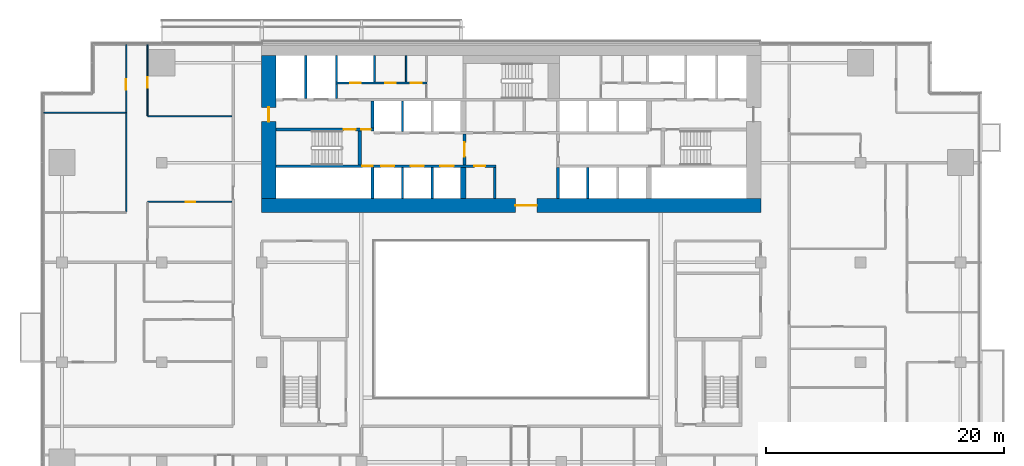
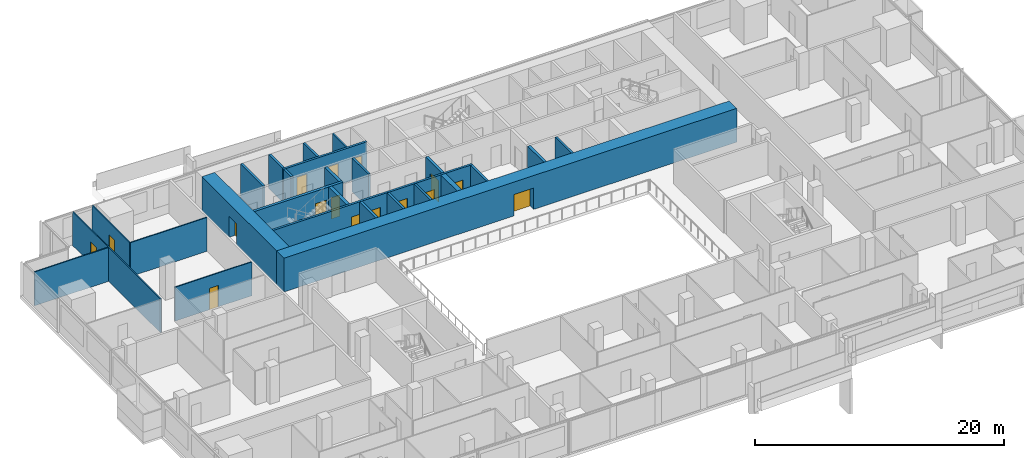
# One storey, part 20 of 27: 26 walls, 16 doors, 16 openings.
"""IFC4 building model written with IfcOpenShell, lengths in metres."""

from ifc_helpers import new_model, si_unit, direction, frame, frame_2d, origin, place, context, subcontext, project, spatial, rectangle, extrude, material, layer, layer_set, type_object, element, fill, save


model = new_model("IFC4")

# Units and contexts
model_context = context("Model", 3, precision=1e-05, world=origin(), true_north=direction((0.0, 1.0)))
body_context = subcontext(model_context, "Body", "Model", "MODEL_VIEW")
ifc_project = project(units=[si_unit("LENGTHUNIT", "METRE"), si_unit("AREAUNIT", "SQUARE_METRE"), si_unit("VOLUMEUNIT", "CUBIC_METRE"), si_unit("PLANEANGLEUNIT", "RADIAN"), si_unit("MASSUNIT", "GRAM", prefix="KILO")], contexts=[model_context])

# Site, building, storey
site_placement = place(None, origin())
site = spatial("IfcSite", under=ifc_project, at=site_placement, CompositionType="ELEMENT")
building_placement = place(site_placement, origin())
building = spatial("IfcBuilding", under=site, at=building_placement, Name="Saffron Gate Tower", CompositionType="ELEMENT")
storey_placement = place(building_placement, frame((0.0, 0.0, 66.0)))
storey = spatial("IfcBuildingStorey", under=building, at=storey_placement, Name="L15", CompositionType="ELEMENT", Elevation=66.0)

# Wall, opening, door
ifc_material_1 = material(Name="Concrete C70", Category="concrete")
ifc_layer_1 = layer(ifc_material_1, 1.199951171875)
ifc_layer_set_1 = layer_set([ifc_layer_1], Name="CW1 RC core wall 1200 C70")
wall_type_1 = type_object("IfcWallType", Name="CW1 RC core wall 1200 C70", PredefinedType="SOLIDWALL", material=ifc_layer_set_1)
wall_1_placement = place(storey_placement, frame((66.60009765625, 61.800048828125, 0.0), z_axis=(0.0, 0.0, 1.0), x_axis=(1.0, 0.0, 0.0)))
wall_1 = element("IfcWall", 1, at=wall_1_placement, inside=storey, type_object=wall_type_1, Name="Wall CW1-L15-1", PredefinedType="SOLIDWALL", context=body_context, shape_type="SweptSolid", body=[
    extrude(rectangle(XDim=42.0, YDim=1.199951171875, at=frame_2d((21.0, 0.0))), origin(), (0.0, 0.0, 1.0), 3.320068359375),
])
opening_1_placement = place(wall_1_placement, frame((21.35009765625, 0.0, 0.0)))
opening_1 = element("IfcOpeningElement", 2, at=opening_1_placement, cuts=wall_1, Name="Opening CR-09", PredefinedType="OPENING", context=body_context, shape_type="SweptSolid", body=[
    extrude(rectangle(XDim=1.800048828125, YDim=2.10009765625, at=frame_2d((0.89990234375, 1.050048828125))), frame((0.0, 0.60986328125, 0.0), z_axis=(0.0, -1.0, 0.0), x_axis=(1.0, 0.0, 0.0)), (0.0, 0.0, 1.0), 1.219970703125),
])
ifc_material_2 = material(Name="Steel fire door set", Category="steel")
door_type_1 = type_object("IfcDoorType", Name="CD1 Core entrance door 1800x2100 EI 120", OperationType="NOTDEFINED", PredefinedType="DOOR", material=ifc_material_2)
door_1_placement = place(opening_1_placement, origin())
door_1 = element("IfcDoor", 3, at=door_1_placement, inside=storey, type_object=door_type_1, Name="DOOR CR-09", OperationType="DOUBLE_DOOR_SINGLE_SWING", OverallHeight=2.10009765625, OverallWidth=1.800048828125, PredefinedType="DOOR", context=body_context, shape_type="SweptSolid", body=[
    extrude(rectangle(XDim=1.800048828125, YDim=2.10009765625, at=frame_2d((0.89990234375, 1.050048828125))), frame((0.0, 0.02490234375, 0.0), z_axis=(0.0, -1.0, 0.0), x_axis=(1.0, 0.0, 0.0)), (0.0, 0.0, 1.0), 0.050048828125),
])
fill(opening_1, door_1)

wall_2_placement = place(storey_placement, frame((67.199951171875, 62.39990234375, 0.0), z_axis=(0.0, 0.0, 1.0), x_axis=(0.0, 1.0, 0.0)))
wall_2 = element("IfcWall", 4, at=wall_2_placement, inside=storey, type_object=wall_type_1, Name="Wall CW1-L15-3", PredefinedType="SOLIDWALL", context=body_context, shape_type="SweptSolid", body=[
    extrude(rectangle(XDim=12.0, YDim=1.199951171875, at=frame_2d((6.0, 0.0))), origin(), (0.0, 0.0, 1.0), 3.320068359375),
])
opening_2_placement = place(wall_2_placement, frame((6.449951171875, 0.0, 0.0)))
opening_2 = element("IfcOpeningElement", 5, at=opening_2_placement, cuts=wall_2, Name="Opening CR-10", PredefinedType="OPENING", context=body_context, shape_type="SweptSolid", body=[
    extrude(rectangle(XDim=1.199951171875, YDim=2.10009765625, at=frame_2d((0.60009765625, 1.050048828125))), frame((0.0, 0.60986328125, 0.0), z_axis=(0.0, -1.0, 0.0), x_axis=(1.0, 0.0, 0.0)), (0.0, 0.0, 1.0), 1.219970703125),
])
door_type_2 = type_object("IfcDoorType", Name="CD7 Core entrance door 1200x2100 EI 120", OperationType="NOTDEFINED", PredefinedType="DOOR", material=ifc_material_2)
door_2_placement = place(opening_2_placement, origin())
door_2 = element("IfcDoor", 6, at=door_2_placement, inside=storey, type_object=door_type_2, Name="DOOR CR-10", OperationType="SINGLE_SWING_LEFT", OverallHeight=2.10009765625, OverallWidth=1.199951171875, PredefinedType="DOOR", context=body_context, shape_type="SweptSolid", body=[
    extrude(rectangle(XDim=1.199951171875, YDim=2.10009765625, at=frame_2d((0.60009765625, 1.050048828125))), frame((0.0, 0.02490234375, 0.0), z_axis=(0.0, -1.0, 0.0), x_axis=(1.0, 0.0, 0.0)), (0.0, 0.0, 1.0), 0.050048828125),
])
fill(opening_2, door_2)

# Walls
ifc_material_3 = material(Name="Gypsum board partition on steel studs", Category="steel")
ifc_layer_2 = layer(ifc_material_3, 0.199951171875)
ifc_layer_set_2 = layer_set([ifc_layer_2], Name="CW10 Core partition 200")
wall_type_2 = type_object("IfcWallType", Name="CW10 Core partition 200", PredefinedType="PARTITIONING", material=ifc_layer_set_2)
wall_3_placement = place(storey_placement, frame((86.199951171875, 62.39990234375, 0.0), z_axis=(0.0, 0.0, 1.0), x_axis=(0.0, 1.0, 0.0)))
element("IfcWall", 7, at=wall_3_placement, inside=storey, type_object=wall_type_2, Name="Wall CW10-L15-9", PredefinedType="PARTITIONING", context=body_context, shape_type="SweptSolid", body=[
    extrude(rectangle(XDim=2.60009765625, YDim=0.199951171875, at=frame_2d((1.300048828125, 0.0))), origin(), (0.0, 0.0, 1.0), 3.320068359375),
])
ifc_layer_3 = layer(ifc_material_1, 0.25)
ifc_layer_set_3 = layer_set([ifc_layer_3], Name="CW2 RC core wall 250 C70")
wall_type_3 = type_object("IfcWallType", Name="CW2 RC core wall 250 C70", PredefinedType="SOLIDWALL", material=ifc_layer_set_3)
for number, where, z_axis, x_axis, name in (
    (8, (75.925048828125, 62.39990234375, 0.0), (0.0, 0.0, 1.0), (0.0, 1.0, 0.0), "Wall CW2-L15-5"),
    (9, (91.52490234375, 62.39990234375, 0.0), (0.0, 0.0, 1.0), (0.0, 1.0, 0.0), "Wall CW2-L15-10"),
):
    element("IfcWall", number, at=place(storey_placement, frame(where, z_axis=z_axis, x_axis=x_axis)), inside=storey, type_object=wall_type_3, Name=name, PredefinedType="SOLIDWALL", context=body_context, shape_type="SweptSolid", body=[
        extrude(rectangle(XDim=2.60009765625, YDim=0.25, at=frame_2d((1.300048828125, 0.0))), origin(), (0.0, 0.0, 1.0), 3.320068359375),
    ])

# Wall, opening, door
wall_4_placement = place(storey_placement, frame((83.675048828125, 65.199951171875, 0.0), z_axis=(0.0, 0.0, 1.0), x_axis=(0.0, 1.0, 0.0)))
wall_4 = element("IfcWall", 10, at=wall_4_placement, inside=storey, type_object=wall_type_3, Name="Wall CW2-L15-17", PredefinedType="SOLIDWALL", context=body_context, shape_type="SweptSolid", body=[
    extrude(rectangle(XDim=2.60009765625, YDim=0.25, at=frame_2d((1.300048828125, 0.0))), origin(), (0.0, 0.0, 1.0), 3.320068359375),
])
opening_3_placement = place(wall_4_placement, frame((0.699951171875, 0.0, 0.0)))
opening_3 = element("IfcOpeningElement", 11, at=opening_3_placement, cuts=wall_4, Name="Opening CR-07", PredefinedType="OPENING", context=body_context, shape_type="SweptSolid", body=[
    extrude(rectangle(XDim=1.199951171875, YDim=2.10009765625, at=frame_2d((0.60009765625, 1.050048828125))), frame((0.0, 0.135009765625, 0.0), z_axis=(0.0, -1.0, 0.0), x_axis=(1.0, 0.0, 0.0)), (0.0, 0.0, 1.0), 0.27001953125),
])
door_type_3 = type_object("IfcDoorType", Name="CD3 Lobby door 1200x2100 EI 120", OperationType="NOTDEFINED", PredefinedType="DOOR", material=ifc_material_2)
door_3_placement = place(opening_3_placement, origin())
door_3 = element("IfcDoor", 12, at=door_3_placement, inside=storey, type_object=door_type_3, Name="DOOR CR-07", OperationType="SINGLE_SWING_RIGHT", OverallHeight=2.10009765625, OverallWidth=1.199951171875, PredefinedType="DOOR", context=body_context, shape_type="SweptSolid", body=[
    extrude(rectangle(XDim=1.199951171875, YDim=2.10009765625, at=frame_2d((0.60009765625, 1.050048828125))), frame((0.0, 0.02490234375, 0.0), z_axis=(0.0, -1.0, 0.0), x_axis=(1.0, 0.0, 0.0)), (0.0, 0.0, 1.0), 0.050048828125),
])
fill(opening_3, door_3)

# Wall, openings, doors
wall_5_placement = place(storey_placement, frame((67.800048828125, 68.175048828125, 0.0), z_axis=(0.0, 0.0, 1.0), x_axis=(1.0, 0.0, 0.0)))
wall_5 = element("IfcWall", 13, at=wall_5_placement, inside=storey, type_object=wall_type_3, Name="Wall CW2-L15-30", PredefinedType="SOLIDWALL", context=body_context, shape_type="SweptSolid", body=[
    extrude(rectangle(XDim=8.25, YDim=0.25, at=frame_2d((4.125, 0.0))), origin(), (0.0, 0.0, 1.0), 3.320068359375),
])
opening_4_placement = place(wall_5_placement, frame((5.699951171875, 0.0, 0.0)))
opening_4 = element("IfcOpeningElement", 14, at=opening_4_placement, cuts=wall_5, Name="Opening CR-15", PredefinedType="OPENING", context=body_context, shape_type="SweptSolid", body=[
    extrude(rectangle(XDim=1.0, YDim=2.10009765625, at=frame_2d((0.5, 1.050048828125))), frame((0.0, 0.135009765625, 0.0), z_axis=(0.0, -1.0, 0.0), x_axis=(1.0, 0.0, 0.0)), (0.0, 0.0, 1.0), 0.27001953125),
])
opening_5_placement = place(wall_5_placement, frame((7.199951171875, 0.0, 0.0)))
opening_5 = element("IfcOpeningElement", 15, at=opening_5_placement, cuts=wall_5, Name="Opening CR-06", PredefinedType="OPENING", context=body_context, shape_type="SweptSolid", body=[
    extrude(rectangle(XDim=0.800048828125, YDim=2.10009765625, at=frame_2d((0.39990234375, 1.050048828125))), frame((0.0, 0.135009765625, 0.0), z_axis=(0.0, -1.0, 0.0), x_axis=(1.0, 0.0, 0.0)), (0.0, 0.0, 1.0), 0.27001953125),
])
door_type_4 = type_object("IfcDoorType", Name="CD5 Stair door 1000x2100 EI 120", OperationType="NOTDEFINED", PredefinedType="DOOR", material=ifc_material_2)
door_4_placement = place(opening_4_placement, origin())
door_4 = element("IfcDoor", 16, at=door_4_placement, inside=storey, type_object=door_type_4, Name="DOOR CR-15", OperationType="SINGLE_SWING_RIGHT", OverallHeight=2.10009765625, OverallWidth=1.0, PredefinedType="DOOR", context=body_context, shape_type="SweptSolid", body=[
    extrude(rectangle(XDim=1.0, YDim=2.10009765625, at=frame_2d((0.5, 1.050048828125))), frame((0.0, 0.02490234375, 0.0), z_axis=(0.0, -1.0, 0.0), x_axis=(1.0, 0.0, 0.0)), (0.0, 0.0, 1.0), 0.050048828125),
])
fill(opening_4, door_4)
door_type_5 = type_object("IfcDoorType", Name="CD6 Lobby door 800x2100 EI 120", OperationType="NOTDEFINED", PredefinedType="DOOR", material=ifc_material_2)
door_5_placement = place(opening_5_placement, origin())
door_5 = element("IfcDoor", 17, at=door_5_placement, inside=storey, type_object=door_type_5, Name="DOOR CR-06", OperationType="SINGLE_SWING_LEFT", OverallHeight=2.10009765625, OverallWidth=0.800048828125, PredefinedType="DOOR", context=body_context, shape_type="SweptSolid", body=[
    extrude(rectangle(XDim=0.800048828125, YDim=2.10009765625, at=frame_2d((0.39990234375, 1.050048828125))), frame((0.0, 0.02490234375, 0.0), z_axis=(0.0, -1.0, 0.0), x_axis=(1.0, 0.0, 0.0)), (0.0, 0.0, 1.0), 0.050048828125),
])
fill(opening_5, door_5)

# Walls
wall_6_placement = place(storey_placement, frame((75.925048828125, 68.300048828125, 0.0), z_axis=(0.0, 0.0, 1.0), x_axis=(0.0, 1.0, 0.0)))
element("IfcWall", 18, at=wall_6_placement, inside=storey, type_object=wall_type_3, Name="Wall CW2-L15-32", PredefinedType="SOLIDWALL", context=body_context, shape_type="SweptSolid", body=[
    extrude(rectangle(XDim=2.300048828125, YDim=0.25, at=frame_2d((1.14990234375, 0.0))), origin(), (0.0, 0.0, 1.0), 3.320068359375),
])
ifc_layer_4 = layer(ifc_material_1, 0.199951171875)
ifc_layer_set_4 = layer_set([ifc_layer_4], Name="CW3 RC core wall 200 C70")
wall_type_4 = type_object("IfcWallType", Name="CW3 RC core wall 200 C70", PredefinedType="SOLIDWALL", material=ifc_layer_set_4)
for number, where, z_axis, x_axis, name in (
    (19, (78.449951171875, 62.39990234375, 0.0), (0.0, 0.0, 1.0), (0.0, 1.0, 0.0), "Wall CW3-L15-6"),
    (20, (80.949951171875, 62.39990234375, 0.0), (0.0, 0.0, 1.0), (0.0, 1.0, 0.0), "Wall CW3-L15-7"),
    (21, (94.050048828125, 62.39990234375, 0.0), (0.0, 0.0, 1.0), (0.0, 1.0, 0.0), "Wall CW3-L15-11"),
):
    element("IfcWall", number, at=place(storey_placement, frame(where, z_axis=z_axis, x_axis=x_axis)), inside=storey, type_object=wall_type_4, Name=name, PredefinedType="SOLIDWALL", context=body_context, shape_type="SweptSolid", body=[
        extrude(rectangle(XDim=2.60009765625, YDim=0.199951171875, at=frame_2d((1.300048828125, 0.0))), origin(), (0.0, 0.0, 1.0), 3.320068359375),
    ])

# Wall, openings, doors
wall_7_placement = place(storey_placement, frame((67.800048828125, 65.10009765625, 0.0), z_axis=(0.0, 0.0, 1.0), x_axis=(1.0, 0.0, 0.0)))
wall_7 = element("IfcWall", 22, at=wall_7_placement, inside=storey, type_object=wall_type_4, Name="Wall CW3-L15-14", PredefinedType="SOLIDWALL", context=body_context, shape_type="SweptSolid", body=[
    extrude(rectangle(XDim=18.5, YDim=0.199951171875, at=frame_2d((9.25, 0.0))), origin(), (0.0, 0.0, 1.0), 3.320068359375),
])
opening_6_placement = place(wall_7_placement, frame((7.27001953125, 0.0, 0.0)))
opening_6 = element("IfcOpeningElement", 23, at=opening_6_placement, cuts=wall_7, Name="Opening CR-49", PredefinedType="OPENING", context=body_context, shape_type="SweptSolid", body=[
    extrude(rectangle(XDim=0.89990234375, YDim=2.10009765625, at=frame_2d((0.449951171875, 1.050048828125))), frame((0.0, 0.10986328125, 0.0), z_axis=(0.0, -1.0, 0.0), x_axis=(1.0, 0.0, 0.0)), (0.0, 0.0, 1.0), 0.219970703125),
])
opening_7_placement = place(wall_7_placement, frame((8.85009765625, 0.0, 0.0)))
opening_7 = element("IfcOpeningElement", 24, at=opening_7_placement, cuts=wall_7, Name="Opening LD-LR1", PredefinedType="OPENING", context=body_context, shape_type="SweptSolid", body=[
    extrude(rectangle(XDim=1.10009765625, YDim=2.10009765625, at=frame_2d((0.550048828125, 1.050048828125))), frame((0.0, 0.10986328125, 0.0), z_axis=(0.0, -1.0, 0.0), x_axis=(1.0, 0.0, 0.0)), (0.0, 0.0, 1.0), 0.219970703125),
])
opening_8_placement = place(wall_7_placement, frame((11.35009765625, 0.0, 0.0)))
opening_8 = element("IfcOpeningElement", 25, at=opening_8_placement, cuts=wall_7, Name="Opening LD-LR2", PredefinedType="OPENING", context=body_context, shape_type="SweptSolid", body=[
    extrude(rectangle(XDim=1.10009765625, YDim=2.10009765625, at=frame_2d((0.550048828125, 1.050048828125))), frame((0.0, 0.10986328125, 0.0), z_axis=(0.0, -1.0, 0.0), x_axis=(1.0, 0.0, 0.0)), (0.0, 0.0, 1.0), 0.219970703125),
])
opening_9_placement = place(wall_7_placement, frame((13.85009765625, 0.0, 0.0)))
opening_9 = element("IfcOpeningElement", 26, at=opening_9_placement, cuts=wall_7, Name="Opening LD-LR3", PredefinedType="OPENING", context=body_context, shape_type="SweptSolid", body=[
    extrude(rectangle(XDim=1.10009765625, YDim=2.10009765625, at=frame_2d((0.550048828125, 1.050048828125))), frame((0.0, 0.10986328125, 0.0), z_axis=(0.0, -1.0, 0.0), x_axis=(1.0, 0.0, 0.0)), (0.0, 0.0, 1.0), 0.219970703125),
])
opening_10_placement = place(wall_7_placement, frame((16.699951171875, 0.0, 0.0)))
opening_10 = element("IfcOpeningElement", 27, at=opening_10_placement, cuts=wall_7, Name="Opening CR-69", PredefinedType="OPENING", context=body_context, shape_type="SweptSolid", body=[
    extrude(rectangle(XDim=0.89990234375, YDim=2.10009765625, at=frame_2d((0.449951171875, 1.050048828125))), frame((0.0, 0.10986328125, 0.0), z_axis=(0.0, -1.0, 0.0), x_axis=(1.0, 0.0, 0.0)), (0.0, 0.0, 1.0), 0.219970703125),
])
door_type_6 = type_object("IfcDoorType", Name="CD2 Riser door 900x2100 EI 60", OperationType="NOTDEFINED", PredefinedType="DOOR", material=ifc_material_2)
door_6_placement = place(opening_6_placement, origin())
door_6 = element("IfcDoor", 28, at=door_6_placement, inside=storey, type_object=door_type_6, Name="DOOR CR-49", OperationType="SINGLE_SWING_LEFT", OverallHeight=2.10009765625, OverallWidth=0.89990234375, PredefinedType="DOOR", context=body_context, shape_type="SweptSolid", body=[
    extrude(rectangle(XDim=0.89990234375, YDim=2.10009765625, at=frame_2d((0.449951171875, 1.050048828125))), frame((0.0, 0.02490234375, 0.0), z_axis=(0.0, -1.0, 0.0), x_axis=(1.0, 0.0, 0.0)), (0.0, 0.0, 1.0), 0.050048828125),
])
fill(opening_6, door_6)
door_type_7 = type_object("IfcDoorType", Name="CD9 Room door 900x2100 EI 60", OperationType="NOTDEFINED", PredefinedType="DOOR", material=ifc_material_2)
door_7_placement = place(opening_10_placement, origin())
door_7 = element("IfcDoor", 29, at=door_7_placement, inside=storey, type_object=door_type_7, Name="DOOR CR-69", OperationType="SINGLE_SWING_RIGHT", OverallHeight=2.10009765625, OverallWidth=0.89990234375, PredefinedType="DOOR", context=body_context, shape_type="SweptSolid", body=[
    extrude(rectangle(XDim=0.89990234375, YDim=2.10009765625, at=frame_2d((0.449951171875, 1.050048828125))), frame((0.0, 0.02490234375, 0.0), z_axis=(0.0, -1.0, 0.0), x_axis=(1.0, 0.0, 0.0)), (0.0, 0.0, 1.0), 0.050048828125),
])
fill(opening_10, door_7)
ifc_material_4 = material(Name="Stainless steel landing door", Category="steel")
door_type_8 = type_object("IfcDoorType", Name="LD Lift landing door 1100x2100 EI 120", OperationType="SLIDING_TO_LEFT", PredefinedType="DOOR", material=ifc_material_4)
door_8_placement = place(opening_7_placement, origin())
door_8 = element("IfcDoor", 30, at=door_8_placement, inside=storey, type_object=door_type_8, Name="LANDING DOOR LD-LR1", OperationType="SLIDING_TO_LEFT", OverallHeight=2.10009765625, OverallWidth=1.10009765625, PredefinedType="DOOR", context=body_context, shape_type="SweptSolid", body=[
    extrude(rectangle(XDim=1.10009765625, YDim=2.10009765625, at=frame_2d((0.550048828125, 1.050048828125))), frame((0.0, 0.02490234375, 0.0), z_axis=(0.0, -1.0, 0.0), x_axis=(1.0, 0.0, 0.0)), (0.0, 0.0, 1.0), 0.050048828125),
])
fill(opening_7, door_8)
door_9_placement = place(opening_8_placement, origin())
door_9 = element("IfcDoor", 31, at=door_9_placement, inside=storey, type_object=door_type_8, Name="LANDING DOOR LD-LR2", OperationType="SLIDING_TO_LEFT", OverallHeight=2.10009765625, OverallWidth=1.10009765625, PredefinedType="DOOR", context=body_context, shape_type="SweptSolid", body=[
    extrude(rectangle(XDim=1.10009765625, YDim=2.10009765625, at=frame_2d((0.550048828125, 1.050048828125))), frame((0.0, 0.02490234375, 0.0), z_axis=(0.0, -1.0, 0.0), x_axis=(1.0, 0.0, 0.0)), (0.0, 0.0, 1.0), 0.050048828125),
])
fill(opening_8, door_9)
door_10_placement = place(opening_9_placement, origin())
door_10 = element("IfcDoor", 32, at=door_10_placement, inside=storey, type_object=door_type_8, Name="LANDING DOOR LD-LR3", OperationType="SLIDING_TO_LEFT", OverallHeight=2.10009765625, OverallWidth=1.10009765625, PredefinedType="DOOR", context=body_context, shape_type="SweptSolid", body=[
    extrude(rectangle(XDim=1.10009765625, YDim=2.10009765625, at=frame_2d((0.550048828125, 1.050048828125))), frame((0.0, 0.02490234375, 0.0), z_axis=(0.0, -1.0, 0.0), x_axis=(1.0, 0.0, 0.0)), (0.0, 0.0, 1.0), 0.050048828125),
])
fill(opening_9, door_10)

# Walls
wall_8_placement = place(storey_placement, frame((78.449951171875, 68.0, 0.0), z_axis=(0.0, 0.0, 1.0), x_axis=(0.0, 1.0, 0.0)))
element("IfcWall", 33, at=wall_8_placement, inside=storey, type_object=wall_type_4, Name="Wall CW3-L15-21", PredefinedType="SOLIDWALL", context=body_context, shape_type="SweptSolid", body=[
    extrude(rectangle(XDim=2.60009765625, YDim=0.199951171875, at=frame_2d((1.300048828125, 0.0))), origin(), (0.0, 0.0, 1.0), 3.320068359375),
])
wall_9_placement = place(storey_placement, frame((70.300048828125, 70.800048828125, 0.0), z_axis=(0.0, 0.0, 1.0), x_axis=(0.0, 1.0, 0.0)))
element("IfcWall", 34, at=wall_9_placement, inside=storey, type_object=wall_type_4, Name="Wall CW3-L15-35", PredefinedType="SOLIDWALL", context=body_context, shape_type="SweptSolid", body=[
    extrude(rectangle(XDim=3.599853515625, YDim=0.199951171875, at=frame_2d((1.7998046875, 0.0))), origin(), (0.0, 0.0, 1.0), 3.320068359375),
])
wall_10_placement = place(storey_placement, frame((72.89990234375, 70.800048828125, 0.0), z_axis=(0.0, 0.0, 1.0), x_axis=(0.0, 1.0, 0.0)))
element("IfcWall", 35, at=wall_10_placement, inside=storey, type_object=wall_type_4, Name="Wall CW3-L15-36", PredefinedType="SOLIDWALL", context=body_context, shape_type="SweptSolid", body=[
    extrude(rectangle(XDim=1.199951171875, YDim=0.199951171875, at=frame_2d((0.60009765625, 0.0))), origin(), (0.0, 0.0, 1.0), 3.320068359375),
])

# Wall, openings, doors
wall_11_placement = place(storey_placement, frame((72.800048828125, 72.10009765625, 0.0), z_axis=(0.0, 0.0, 1.0), x_axis=(1.0, 0.0, 0.0)))
wall_11 = element("IfcWall", 36, at=wall_11_placement, inside=storey, type_object=wall_type_4, Name="Wall CW3-L15-43", PredefinedType="SOLIDWALL", context=body_context, shape_type="SweptSolid", body=[
    extrude(rectangle(XDim=7.719970703125, YDim=0.199951171875, at=frame_2d((3.85986328125, 0.0))), origin(), (0.0, 0.0, 1.0), 3.320068359375),
])
opening_11_placement = place(wall_11_placement, frame((1.25, 0.0, 0.0)))
opening_11 = element("IfcOpeningElement", 37, at=opening_11_placement, cuts=wall_11, Name="Opening CR-71", PredefinedType="OPENING", context=body_context, shape_type="SweptSolid", body=[
    extrude(rectangle(XDim=0.89990234375, YDim=2.10009765625, at=frame_2d((0.449951171875, 1.050048828125))), frame((0.0, 0.10986328125, 0.0), z_axis=(0.0, -1.0, 0.0), x_axis=(1.0, 0.0, 0.0)), (0.0, 0.0, 1.0), 0.219970703125),
])
opening_12_placement = place(wall_11_placement, frame((4.199951171875, 0.0, 0.0)))
opening_12 = element("IfcOpeningElement", 38, at=opening_12_placement, cuts=wall_11, Name="Opening CR-55", PredefinedType="OPENING", context=body_context, shape_type="SweptSolid", body=[
    extrude(rectangle(XDim=0.89990234375, YDim=2.10009765625, at=frame_2d((0.449951171875, 1.050048828125))), frame((0.0, 0.10986328125, 0.0), z_axis=(0.0, -1.0, 0.0), x_axis=(1.0, 0.0, 0.0)), (0.0, 0.0, 1.0), 0.219970703125),
])
opening_13_placement = place(wall_11_placement, frame((6.360107421875, 0.0, 0.0)))
opening_13 = element("IfcOpeningElement", 39, at=opening_13_placement, cuts=wall_11, Name="Opening CR-58", PredefinedType="OPENING", context=body_context, shape_type="SweptSolid", body=[
    extrude(rectangle(XDim=0.89990234375, YDim=2.10009765625, at=frame_2d((0.449951171875, 1.050048828125))), frame((0.0, 0.10986328125, 0.0), z_axis=(0.0, -1.0, 0.0), x_axis=(1.0, 0.0, 0.0)), (0.0, 0.0, 1.0), 0.219970703125),
])
door_11_placement = place(opening_11_placement, origin())
door_11 = element("IfcDoor", 40, at=door_11_placement, inside=storey, type_object=door_type_6, Name="DOOR CR-71", OperationType="SINGLE_SWING_LEFT", OverallHeight=2.10009765625, OverallWidth=0.89990234375, PredefinedType="DOOR", context=body_context, shape_type="SweptSolid", body=[
    extrude(rectangle(XDim=0.89990234375, YDim=2.10009765625, at=frame_2d((0.449951171875, 1.050048828125))), frame((0.0, 0.02490234375, 0.0), z_axis=(0.0, -1.0, 0.0), x_axis=(1.0, 0.0, 0.0)), (0.0, 0.0, 1.0), 0.050048828125),
])
fill(opening_11, door_11)
door_12_placement = place(opening_12_placement, origin())
door_12 = element("IfcDoor", 41, at=door_12_placement, inside=storey, type_object=door_type_7, Name="DOOR CR-55", OperationType="SINGLE_SWING_LEFT", OverallHeight=2.10009765625, OverallWidth=0.89990234375, PredefinedType="DOOR", context=body_context, shape_type="SweptSolid", body=[
    extrude(rectangle(XDim=0.89990234375, YDim=2.10009765625, at=frame_2d((0.449951171875, 1.050048828125))), frame((0.0, 0.02490234375, 0.0), z_axis=(0.0, -1.0, 0.0), x_axis=(1.0, 0.0, 0.0)), (0.0, 0.0, 1.0), 0.050048828125),
])
fill(opening_12, door_12)
door_13_placement = place(opening_13_placement, origin())
door_13 = element("IfcDoor", 42, at=door_13_placement, inside=storey, type_object=door_type_7, Name="DOOR CR-58", OperationType="SINGLE_SWING_LEFT", OverallHeight=2.10009765625, OverallWidth=0.89990234375, PredefinedType="DOOR", context=body_context, shape_type="SweptSolid", body=[
    extrude(rectangle(XDim=0.89990234375, YDim=2.10009765625, at=frame_2d((0.449951171875, 1.050048828125))), frame((0.0, 0.02490234375, 0.0), z_axis=(0.0, -1.0, 0.0), x_axis=(1.0, 0.0, 0.0)), (0.0, 0.0, 1.0), 0.050048828125),
])
fill(opening_13, door_13)

# Walls
for number, where, z_axis, x_axis, name in (
    (43, (72.89990234375, 72.199951171875, 0.0), (0.0, 0.0, 1.0), (0.0, 1.0, 0.0), "Wall CW3-L15-45"),
    (44, (76.10009765625, 72.199951171875, 0.0), (0.0, 0.0, 1.0), (0.0, 1.0, 0.0), "Wall CW3-L15-46"),
):
    element("IfcWall", number, at=place(storey_placement, frame(where, z_axis=z_axis, x_axis=x_axis)), inside=storey, type_object=wall_type_4, Name=name, PredefinedType="SOLIDWALL", context=body_context, shape_type="SweptSolid", body=[
        extrude(rectangle(XDim=2.199951171875, YDim=0.199951171875, at=frame_2d((1.10009765625, 0.0))), origin(), (0.0, 0.0, 1.0), 3.320068359375),
    ])
ifc_layer_5 = layer(ifc_material_1, 0.449951171875)
ifc_layer_set_5 = layer_set([ifc_layer_5], Name="CW4 RC core wall 450 C70")
wall_type_5 = type_object("IfcWallType", Name="CW4 RC core wall 450 C70", PredefinedType="SOLIDWALL", material=ifc_layer_set_5)
wall_12_placement = place(storey_placement, frame((83.574951171875, 62.39990234375, 0.0), z_axis=(0.0, 0.0, 1.0), x_axis=(0.0, 1.0, 0.0)))
element("IfcWall", 45, at=wall_12_placement, inside=storey, type_object=wall_type_5, Name="Wall CW4-L15-8", PredefinedType="SOLIDWALL", context=body_context, shape_type="SweptSolid", body=[
    extrude(rectangle(XDim=2.60009765625, YDim=0.449951171875, at=frame_2d((1.300048828125, 0.0))), origin(), (0.0, 0.0, 1.0), 3.320068359375),
])
ifc_layer_6 = layer(ifc_material_1, 0.300048828125)
ifc_layer_set_6 = layer_set([ifc_layer_6], Name="CW5 RC core wall 300 C70")
wall_type_6 = type_object("IfcWallType", Name="CW5 RC core wall 300 C70", PredefinedType="SOLIDWALL", material=ifc_layer_set_6)
wall_13_placement = place(storey_placement, frame((74.85009765625, 65.199951171875, 0.0), z_axis=(0.0, 0.0, 1.0), x_axis=(0.0, 1.0, 0.0)))
element("IfcWall", 46, at=wall_13_placement, inside=storey, type_object=wall_type_6, Name="Wall CW5-L15-16", PredefinedType="SOLIDWALL", context=body_context, shape_type="SweptSolid", body=[
    extrude(rectangle(XDim=2.85009765625, YDim=0.300048828125, at=frame_2d((1.425048828125, 0.0))), origin(), (0.0, 0.0, 1.0), 3.320068359375),
])
ifc_layer_7 = layer(ifc_material_3, 0.1201171875)
ifc_layer_set_7 = layer_set([ifc_layer_7], Name="CW8 Core partition 120")
wall_type_7 = type_object("IfcWallType", Name="CW8 Core partition 120", PredefinedType="PARTITIONING", material=ifc_layer_set_7)
wall_14_placement = place(storey_placement, frame((78.760009765625, 72.199951171875, 0.0), z_axis=(0.0, 0.0, 1.0), x_axis=(0.0, 1.0, 0.0)))
element("IfcWall", 47, at=wall_14_placement, inside=storey, type_object=wall_type_7, Name="Wall CW8-L15-47", PredefinedType="PARTITIONING", context=body_context, shape_type="SweptSolid", body=[
    extrude(rectangle(XDim=2.199951171875, YDim=0.1201171875, at=frame_2d((1.10009765625, 0.0))), origin(), (0.0, 0.0, 1.0), 3.320068359375),
])

# Wall, opening, door
ifc_material_5 = material(Name="Plasterboard on steel studs", Category="steel")
ifc_layer_8 = layer(ifc_material_5, 0.10009765625)
ifc_layer_set_8 = layer_set([ifc_layer_8], Name="PW1 Partition 100")
wall_type_8 = type_object("IfcWallType", Name="PW1 Partition 100", PredefinedType="PARTITIONING", material=ifc_layer_set_8)
wall_15_placement = place(storey_placement, frame((64.10009765625, 62.10009765625, 0.0), z_axis=(0.0, 0.0, 1.0), x_axis=(-1.0, 0.0, 0.0)))
wall_15 = element("IfcWall", 48, at=wall_15_placement, inside=storey, type_object=wall_type_8, Name="Partition A3-43", PredefinedType="PARTITIONING", context=body_context, shape_type="SweptSolid", body=[
    extrude(rectangle(XDim=7.10009765625, YDim=0.10009765625, at=frame_2d((3.550048828125, 0.0))), origin(), (0.0, 0.0, 1.0), 3.320068359375),
])
opening_14_placement = place(wall_15_placement, frame((3.10009765625, 0.0, 0.0)))
opening_14 = element("IfcOpeningElement", 49, at=opening_14_placement, cuts=wall_15, Name="Opening A3-45", PredefinedType="OPENING", context=body_context, shape_type="SweptSolid", body=[
    extrude(rectangle(XDim=0.800048828125, YDim=2.10009765625, at=frame_2d((0.39990234375, 1.050048828125))), frame((0.0, 0.06005859375, 0.0), z_axis=(0.0, -1.0, 0.0), x_axis=(1.0, 0.0, 0.0)), (0.0, 0.0, 1.0), 0.1201171875),
])
ifc_material_6 = material(Name="Timber door set", Category="wood")
door_type_9 = type_object("IfcDoorType", Name="RD2 Bathroom door 800x2100", OperationType="NOTDEFINED", PredefinedType="DOOR", material=ifc_material_6)
door_14_placement = place(opening_14_placement, origin())
door_14 = element("IfcDoor", 50, at=door_14_placement, inside=storey, type_object=door_type_9, Name="Door A3-45", OperationType="SINGLE_SWING_LEFT", OverallHeight=2.10009765625, OverallWidth=0.800048828125, PredefinedType="DOOR", context=body_context, shape_type="SweptSolid", body=[
    extrude(rectangle(XDim=0.800048828125, YDim=2.10009765625, at=frame_2d((0.39990234375, 1.050048828125))), frame((0.0, 0.02490234375, 0.0), z_axis=(0.0, -1.0, 0.0), x_axis=(1.0, 0.0, 0.0)), (0.0, 0.0, 1.0), 0.050048828125),
])
fill(opening_14, door_14)

# Walls
wall_16_placement = place(storey_placement, frame((57.0, 69.29443359375, 0.0), z_axis=(0.0, 0.0, 1.0), x_axis=(1.0, 0.0, 0.0)))
element("IfcWall", 51, at=wall_16_placement, inside=storey, type_object=wall_type_8, Name="Partition A3-48", PredefinedType="PARTITIONING", context=body_context, shape_type="SweptSolid", body=[
    extrude(rectangle(XDim=7.10009765625, YDim=0.10009765625, at=frame_2d((3.550048828125, 0.0))), origin(), (0.0, 0.0, 1.0), 3.320068359375),
])
wall_17_placement = place(storey_placement, frame((48.280029296875, 69.60009765625, 0.0), z_axis=(0.0, 0.0, 1.0), x_axis=(1.0, 0.0, 0.0)))
element("IfcWall", 52, at=wall_17_placement, inside=storey, type_object=wall_type_8, Name="Partition A3-49", PredefinedType="PARTITIONING", context=body_context, shape_type="SweptSolid", body=[
    extrude(rectangle(XDim=6.869873046875, YDim=0.10009765625, at=frame_2d((3.43505859375, 0.0))), origin(), (0.0, 0.0, 1.0), 3.320068359375),
])

# Wall, opening, door
wall_18_placement = place(storey_placement, frame((55.199951171875, 61.25, 0.0), z_axis=(0.0, 0.0, 1.0), x_axis=(0.0, 1.0, 0.0)))
wall_18 = element("IfcWall", 53, at=wall_18_placement, inside=storey, type_object=wall_type_8, Name="Partition A3-53", PredefinedType="PARTITIONING", context=body_context, shape_type="SweptSolid", body=[
    extrude(rectangle(XDim=14.070068359375, YDim=0.10009765625, at=frame_2d((7.03515625, 0.0))), origin(), (0.0, 0.0, 1.0), 3.320068359375),
])
opening_15_placement = place(wall_18_placement, frame((10.27880859375, 0.0, 0.0)))
opening_15 = element("IfcOpeningElement", 54, at=opening_15_placement, cuts=wall_18, Name="Opening A3-28", PredefinedType="OPENING", context=body_context, shape_type="SweptSolid", body=[
    extrude(rectangle(XDim=0.89990234375, YDim=2.10009765625, at=frame_2d((0.449951171875, 1.050048828125))), frame((0.0, 0.06005859375, 0.0), z_axis=(0.0, -1.0, 0.0), x_axis=(1.0, 0.0, 0.0)), (0.0, 0.0, 1.0), 0.1201171875),
])
door_type_10 = type_object("IfcDoorType", Name="RD1 Room door 900x2100", OperationType="NOTDEFINED", PredefinedType="DOOR", material=ifc_material_6)
door_15_placement = place(opening_15_placement, origin())
door_15 = element("IfcDoor", 55, at=door_15_placement, inside=storey, type_object=door_type_10, Name="Door A3-28", OperationType="SINGLE_SWING_LEFT", OverallHeight=2.10009765625, OverallWidth=0.89990234375, PredefinedType="DOOR", context=body_context, shape_type="SweptSolid", body=[
    extrude(rectangle(XDim=0.89990234375, YDim=2.10009765625, at=frame_2d((0.449951171875, 1.050048828125))), frame((0.0, 0.02490234375, 0.0), z_axis=(0.0, -1.0, 0.0), x_axis=(1.0, 0.0, 0.0)), (0.0, 0.0, 1.0), 0.050048828125),
])
fill(opening_15, door_15)

wall_19_placement = place(storey_placement, frame((57.0, 75.320068359375, 0.0), z_axis=(0.0, 0.0, 1.0), x_axis=(0.0, -1.0, 0.0)))
wall_19 = element("IfcWall", 56, at=wall_19_placement, inside=storey, type_object=wall_type_8, Name="Partition A3-58", PredefinedType="PARTITIONING", context=body_context, shape_type="SweptSolid", body=[
    extrude(rectangle(XDim=5.9755859375, YDim=0.10009765625, at=frame_2d((2.98779296875, 0.0))), origin(), (0.0, 0.0, 1.0), 3.320068359375),
])
opening_16_placement = place(wall_19_placement, frame((2.722900390625, 0.0, 0.0)))
opening_16 = element("IfcOpeningElement", 57, at=opening_16_placement, cuts=wall_19, Name="Opening A3-29", PredefinedType="OPENING", context=body_context, shape_type="SweptSolid", body=[
    extrude(rectangle(XDim=0.89990234375, YDim=2.10009765625, at=frame_2d((0.449951171875, 1.050048828125))), frame((0.0, 0.06005859375, 0.0), z_axis=(0.0, -1.0, 0.0), x_axis=(1.0, 0.0, 0.0)), (0.0, 0.0, 1.0), 0.1201171875),
])
door_16_placement = place(opening_16_placement, origin())
door_16 = element("IfcDoor", 58, at=door_16_placement, inside=storey, type_object=door_type_10, Name="Door A3-29", OperationType="SINGLE_SWING_RIGHT", OverallHeight=2.10009765625, OverallWidth=0.89990234375, PredefinedType="DOOR", context=body_context, shape_type="SweptSolid", body=[
    extrude(rectangle(XDim=0.89990234375, YDim=2.10009765625, at=frame_2d((0.449951171875, 1.050048828125))), frame((0.0, 0.02490234375, 0.0), z_axis=(0.0, -1.0, 0.0), x_axis=(1.0, 0.0, 0.0)), (0.0, 0.0, 1.0), 0.050048828125),
])
fill(opening_16, door_16)

save(model, "model.ifc")
